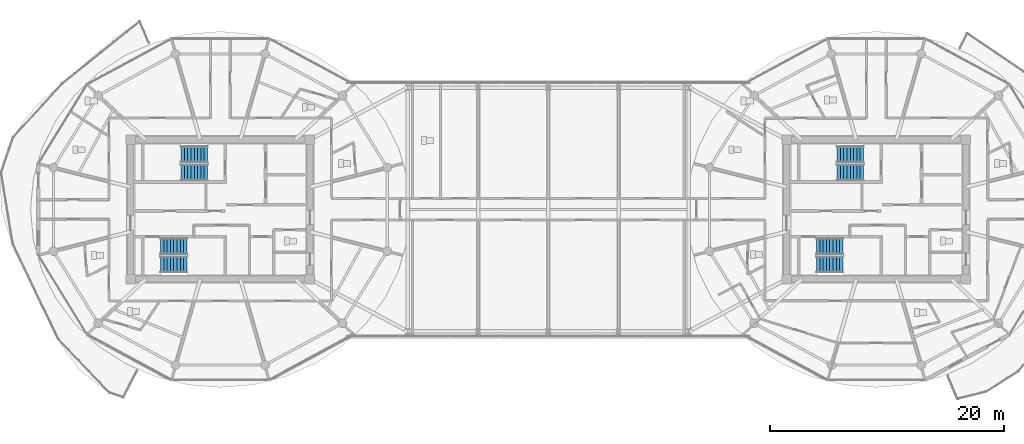
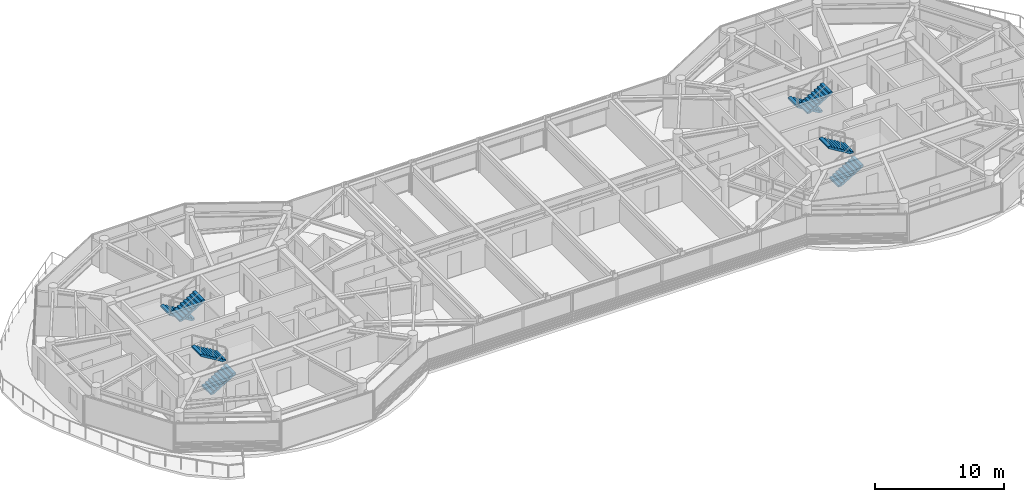
# One storey, part 21 of 26: 8 stair flights, 4 elements without a shape of their own.
"""IFC4 building model written with IfcOpenShell, lengths in metres."""

from ifc_helpers import new_model, si_unit, direction, frame, origin, place, context, subcontext, project, spatial, polyline, outline, extrude, material, type_object, element, aggregate, save


model = new_model("IFC4")

# Units and contexts
model_context = context("Model", 3, precision=1e-05, world=origin(), true_north=direction((0.0, 1.0)))
body_context = subcontext(model_context, "Body", "Model", "MODEL_VIEW")
ifc_project = project(units=[si_unit("LENGTHUNIT", "METRE"), si_unit("AREAUNIT", "SQUARE_METRE"), si_unit("VOLUMEUNIT", "CUBIC_METRE"), si_unit("PLANEANGLEUNIT", "RADIAN"), si_unit("MASSUNIT", "GRAM", prefix="KILO")], contexts=[model_context])

# Site, building, storey
site_placement = place(None, origin())
site = spatial("IfcSite", under=ifc_project, at=site_placement, CompositionType="ELEMENT")
building_placement = place(site_placement, origin())
building = spatial("IfcBuilding", under=site, at=building_placement, Name="Norrkilde Senior Care Towers", CompositionType="ELEMENT")
storey_placement = place(building_placement, frame((0.0, 0.0, 210.85009765625)))
storey = spatial("IfcBuildingStorey", under=building, at=storey_placement, Name="L65", CompositionType="ELEMENT", Elevation=210.85009765625)

# Stair, stair flights
ifc_material = material(Name="Concrete C45/55", Category="concrete")
stair_type = type_object("IfcStairType", Name="Core Protected Dogleg Stair Typical 3050", PredefinedType="HALF_TURN_STAIR", material=ifc_material)
stair_1_placement = place(storey_placement, origin())
stair_1 = element("IfcStair", 1, at=stair_1_placement, inside=storey, type_object=stair_type, Name="L65 Protected Core Stair W1", PredefinedType="HALF_TURN_STAIR")
stair_flight_type = type_object("IfcStairFlightType", Name="Core Protected Dogleg Stair Typical 3050 Flight", PredefinedType="STRAIGHT", material=ifc_material)
stair_flight_1_placement = place(storey_placement, frame((-29.10009765625, 4.699951171875, 0.0), z_axis=(0.0, 0.0, 1.0), x_axis=(-1.0, 0.0, 0.0)))
stair_flight_1 = element("IfcStairFlight", 2, at=stair_flight_1_placement, type_object=stair_flight_type, Name="ST-W1 flight 1", NumberOfRisers=9, NumberOfTreads=8, PredefinedType="STRAIGHT", RiserHeight=0.169444444, TreadLength=0.28, context=body_context, shape_type="SweptSolid", body=[
    extrude(outline(polyline([(0.0, 0.0), (0.0, 0.16943359375), (0.280029296875, 0.16943359375), (0.280029296875, 0.3388671875), (0.56005859375, 0.3388671875), (0.56005859375, 0.50830078125), (0.840087890625, 0.50830078125), (0.840087890625, 0.677734375), (1.1201171875, 0.677734375), (1.1201171875, 0.84716796875), (1.39990234375, 0.84716796875), (1.39990234375, 1.0166015625), (1.679931640625, 1.0166015625), (1.679931640625, 1.18603515625), (1.9599609375, 1.18603515625), (1.9599609375, 1.35546875), (2.239990234375, 1.35546875), (2.239990234375, 1.52490234375), (2.239990234375, 1.180419921875), (0.28955078125, 0.0), (0.0, 0.0)])), frame((0.0, 0.699951171875, 0.0), z_axis=(0.0, -1.0, 0.0), x_axis=(1.0, 0.0, 0.0)), (0.0, 0.0, 1.0), 1.39990234375),
])
stair_flight_2_placement = place(storey_placement, frame((-31.340087890625, 3.14990234375, 1.52490234375), z_axis=(0.0, 0.0, 1.0), x_axis=(1.0, 0.0, 0.0)))
stair_flight_2 = element("IfcStairFlight", 3, at=stair_flight_2_placement, type_object=stair_flight_type, Name="ST-W1 flight 2", NumberOfRisers=9, NumberOfTreads=8, PredefinedType="STRAIGHT", RiserHeight=0.169444444, TreadLength=0.28, context=body_context, shape_type="SweptSolid", body=[
    extrude(outline(polyline([(0.0, 0.0), (0.0, 0.16943359375), (0.280029296875, 0.16943359375), (0.280029296875, 0.3388671875), (0.56005859375, 0.3388671875), (0.56005859375, 0.50830078125), (0.840087890625, 0.50830078125), (0.840087890625, 0.677734375), (1.1201171875, 0.677734375), (1.1201171875, 0.84716796875), (1.39990234375, 0.84716796875), (1.39990234375, 1.0166015625), (1.679931640625, 1.0166015625), (1.679931640625, 1.18603515625), (1.9599609375, 1.18603515625), (1.9599609375, 1.35546875), (2.239990234375, 1.35546875), (2.239990234375, 1.52490234375), (2.239990234375, 1.180419921875), (0.28955078125, 0.0), (0.0, 0.0)])), frame((0.0, 0.699951171875, 0.0), z_axis=(0.0, -1.0, 0.0), x_axis=(1.0, 0.0, 0.0)), (0.0, 0.0, 1.0), 1.39990234375),
])
aggregate(stair_1, [stair_flight_1, stair_flight_2])

stair_2_placement = place(storey_placement, origin())
stair_2 = element("IfcStair", 4, at=stair_2_placement, inside=storey, type_object=stair_type, Name="L65 Protected Core Stair W2", PredefinedType="HALF_TURN_STAIR")
stair_flight_3_placement = place(storey_placement, frame((-33.10009765625, -4.699951171875, 0.0), z_axis=(0.0, 0.0, 1.0), x_axis=(1.0, 0.0, 0.0)))
stair_flight_3 = element("IfcStairFlight", 5, at=stair_flight_3_placement, type_object=stair_flight_type, Name="ST-W2 flight 1", NumberOfRisers=9, NumberOfTreads=8, PredefinedType="STRAIGHT", RiserHeight=0.169444444, TreadLength=0.28, context=body_context, shape_type="SweptSolid", body=[
    extrude(outline(polyline([(0.0, 0.0), (0.0, 0.16943359375), (0.280029296875, 0.16943359375), (0.280029296875, 0.3388671875), (0.56005859375, 0.3388671875), (0.56005859375, 0.50830078125), (0.840087890625, 0.50830078125), (0.840087890625, 0.677734375), (1.1201171875, 0.677734375), (1.1201171875, 0.84716796875), (1.39990234375, 0.84716796875), (1.39990234375, 1.0166015625), (1.679931640625, 1.0166015625), (1.679931640625, 1.18603515625), (1.9599609375, 1.18603515625), (1.9599609375, 1.35546875), (2.239990234375, 1.35546875), (2.239990234375, 1.52490234375), (2.239990234375, 1.180419921875), (0.28955078125, 0.0), (0.0, 0.0)])), frame((0.0, 0.699951171875, 0.0), z_axis=(0.0, -1.0, 0.0), x_axis=(1.0, 0.0, 0.0)), (0.0, 0.0, 1.0), 1.39990234375),
])
stair_flight_4_placement = place(storey_placement, frame((-30.860107421875, -3.14990234375, 1.52490234375), z_axis=(0.0, 0.0, 1.0), x_axis=(-1.0, 0.0, 0.0)))
stair_flight_4 = element("IfcStairFlight", 6, at=stair_flight_4_placement, type_object=stair_flight_type, Name="ST-W2 flight 2", NumberOfRisers=9, NumberOfTreads=8, PredefinedType="STRAIGHT", RiserHeight=0.169444444, TreadLength=0.28, context=body_context, shape_type="SweptSolid", body=[
    extrude(outline(polyline([(0.0, 0.0), (0.0, 0.16943359375), (0.280029296875, 0.16943359375), (0.280029296875, 0.3388671875), (0.56005859375, 0.3388671875), (0.56005859375, 0.50830078125), (0.840087890625, 0.50830078125), (0.840087890625, 0.677734375), (1.1201171875, 0.677734375), (1.1201171875, 0.84716796875), (1.39990234375, 0.84716796875), (1.39990234375, 1.0166015625), (1.679931640625, 1.0166015625), (1.679931640625, 1.18603515625), (1.9599609375, 1.18603515625), (1.9599609375, 1.35546875), (2.239990234375, 1.35546875), (2.239990234375, 1.52490234375), (2.239990234375, 1.180419921875), (0.28955078125, 0.0), (0.0, 0.0)])), frame((0.0, 0.699951171875, 0.0), z_axis=(0.0, -1.0, 0.0), x_axis=(1.0, 0.0, 0.0)), (0.0, 0.0, 1.0), 1.39990234375),
])
aggregate(stair_2, [stair_flight_3, stair_flight_4])

stair_3_placement = place(storey_placement, origin())
stair_3 = element("IfcStair", 7, at=stair_3_placement, inside=storey, type_object=stair_type, Name="L65 Protected Core Stair E1", PredefinedType="HALF_TURN_STAIR")
stair_flight_5_placement = place(storey_placement, frame((26.89990234375, 4.699951171875, 0.0), z_axis=(0.0, 0.0, 1.0), x_axis=(-1.0, 0.0, 0.0)))
stair_flight_5 = element("IfcStairFlight", 8, at=stair_flight_5_placement, type_object=stair_flight_type, Name="ST-E1 flight 1", NumberOfRisers=9, NumberOfTreads=8, PredefinedType="STRAIGHT", RiserHeight=0.169444444, TreadLength=0.28, context=body_context, shape_type="SweptSolid", body=[
    extrude(outline(polyline([(0.0, 0.0), (0.0, 0.16943359375), (0.280029296875, 0.16943359375), (0.280029296875, 0.3388671875), (0.56005859375, 0.3388671875), (0.56005859375, 0.50830078125), (0.840087890625, 0.50830078125), (0.840087890625, 0.677734375), (1.1201171875, 0.677734375), (1.1201171875, 0.84716796875), (1.39990234375, 0.84716796875), (1.39990234375, 1.0166015625), (1.679931640625, 1.0166015625), (1.679931640625, 1.18603515625), (1.9599609375, 1.18603515625), (1.9599609375, 1.35546875), (2.239990234375, 1.35546875), (2.239990234375, 1.52490234375), (2.239990234375, 1.180419921875), (0.28955078125, 0.0), (0.0, 0.0)])), frame((0.0, 0.699951171875, 0.0), z_axis=(0.0, -1.0, 0.0), x_axis=(1.0, 0.0, 0.0)), (0.0, 0.0, 1.0), 1.39990234375),
])
stair_flight_6_placement = place(storey_placement, frame((24.659912109375, 3.14990234375, 1.52490234375), z_axis=(0.0, 0.0, 1.0), x_axis=(1.0, 0.0, 0.0)))
stair_flight_6 = element("IfcStairFlight", 9, at=stair_flight_6_placement, type_object=stair_flight_type, Name="ST-E1 flight 2", NumberOfRisers=9, NumberOfTreads=8, PredefinedType="STRAIGHT", RiserHeight=0.169444444, TreadLength=0.28, context=body_context, shape_type="SweptSolid", body=[
    extrude(outline(polyline([(0.0, 0.0), (0.0, 0.16943359375), (0.280029296875, 0.16943359375), (0.280029296875, 0.3388671875), (0.56005859375, 0.3388671875), (0.56005859375, 0.50830078125), (0.840087890625, 0.50830078125), (0.840087890625, 0.677734375), (1.1201171875, 0.677734375), (1.1201171875, 0.84716796875), (1.39990234375, 0.84716796875), (1.39990234375, 1.0166015625), (1.679931640625, 1.0166015625), (1.679931640625, 1.18603515625), (1.9599609375, 1.18603515625), (1.9599609375, 1.35546875), (2.239990234375, 1.35546875), (2.239990234375, 1.52490234375), (2.239990234375, 1.180419921875), (0.28955078125, 0.0), (0.0, 0.0)])), frame((0.0, 0.699951171875, 0.0), z_axis=(0.0, -1.0, 0.0), x_axis=(1.0, 0.0, 0.0)), (0.0, 0.0, 1.0), 1.39990234375),
])
aggregate(stair_3, [stair_flight_5, stair_flight_6])

stair_4_placement = place(storey_placement, origin())
stair_4 = element("IfcStair", 10, at=stair_4_placement, inside=storey, type_object=stair_type, Name="L65 Protected Core Stair E2", PredefinedType="HALF_TURN_STAIR")
stair_flight_7_placement = place(storey_placement, frame((22.89990234375, -4.699951171875, 0.0), z_axis=(0.0, 0.0, 1.0), x_axis=(1.0, 0.0, 0.0)))
stair_flight_7 = element("IfcStairFlight", 11, at=stair_flight_7_placement, type_object=stair_flight_type, Name="ST-E2 flight 1", NumberOfRisers=9, NumberOfTreads=8, PredefinedType="STRAIGHT", RiserHeight=0.169444444, TreadLength=0.28, context=body_context, shape_type="SweptSolid", body=[
    extrude(outline(polyline([(0.0, 0.0), (0.0, 0.16943359375), (0.280029296875, 0.16943359375), (0.280029296875, 0.3388671875), (0.56005859375, 0.3388671875), (0.56005859375, 0.50830078125), (0.840087890625, 0.50830078125), (0.840087890625, 0.677734375), (1.1201171875, 0.677734375), (1.1201171875, 0.84716796875), (1.39990234375, 0.84716796875), (1.39990234375, 1.0166015625), (1.679931640625, 1.0166015625), (1.679931640625, 1.18603515625), (1.9599609375, 1.18603515625), (1.9599609375, 1.35546875), (2.239990234375, 1.35546875), (2.239990234375, 1.52490234375), (2.239990234375, 1.180419921875), (0.28955078125, 0.0), (0.0, 0.0)])), frame((0.0, 0.699951171875, 0.0), z_axis=(0.0, -1.0, 0.0), x_axis=(1.0, 0.0, 0.0)), (0.0, 0.0, 1.0), 1.39990234375),
])
stair_flight_8_placement = place(storey_placement, frame((25.139892578125, -3.14990234375, 1.52490234375), z_axis=(0.0, 0.0, 1.0), x_axis=(-1.0, 0.0, 0.0)))
stair_flight_8 = element("IfcStairFlight", 12, at=stair_flight_8_placement, type_object=stair_flight_type, Name="ST-E2 flight 2", NumberOfRisers=9, NumberOfTreads=8, PredefinedType="STRAIGHT", RiserHeight=0.169444444, TreadLength=0.28, context=body_context, shape_type="SweptSolid", body=[
    extrude(outline(polyline([(0.0, 0.0), (0.0, 0.16943359375), (0.280029296875, 0.16943359375), (0.280029296875, 0.3388671875), (0.56005859375, 0.3388671875), (0.56005859375, 0.50830078125), (0.840087890625, 0.50830078125), (0.840087890625, 0.677734375), (1.1201171875, 0.677734375), (1.1201171875, 0.84716796875), (1.39990234375, 0.84716796875), (1.39990234375, 1.0166015625), (1.679931640625, 1.0166015625), (1.679931640625, 1.18603515625), (1.9599609375, 1.18603515625), (1.9599609375, 1.35546875), (2.239990234375, 1.35546875), (2.239990234375, 1.52490234375), (2.239990234375, 1.180419921875), (0.28955078125, 0.0), (0.0, 0.0)])), frame((0.0, 0.699951171875, 0.0), z_axis=(0.0, -1.0, 0.0), x_axis=(1.0, 0.0, 0.0)), (0.0, 0.0, 1.0), 1.39990234375),
])
aggregate(stair_4, [stair_flight_7, stair_flight_8])

save(model, "model.ifc")
